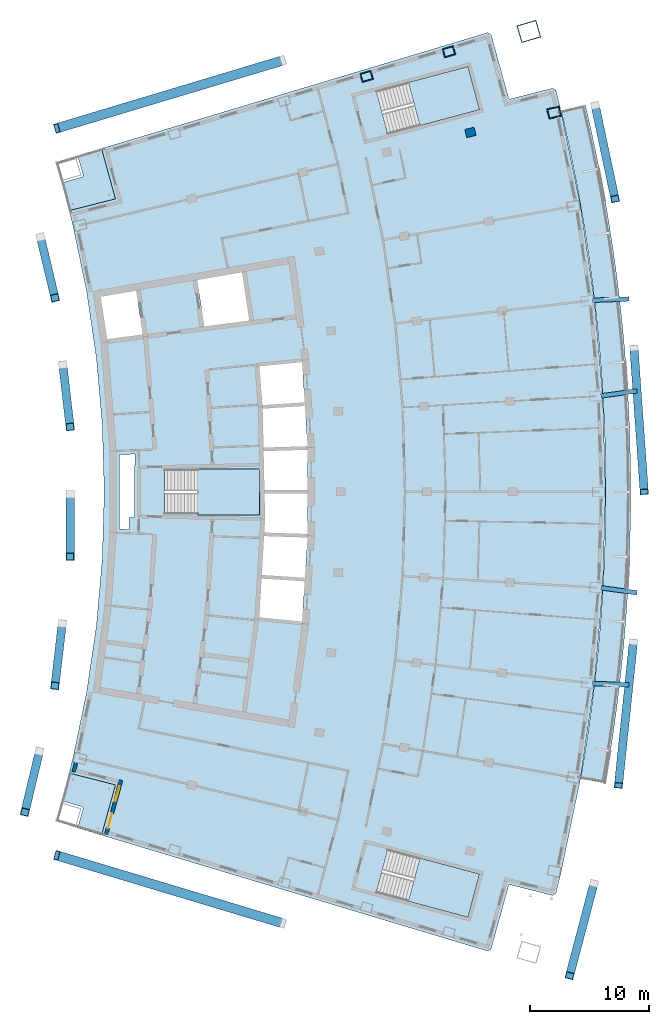
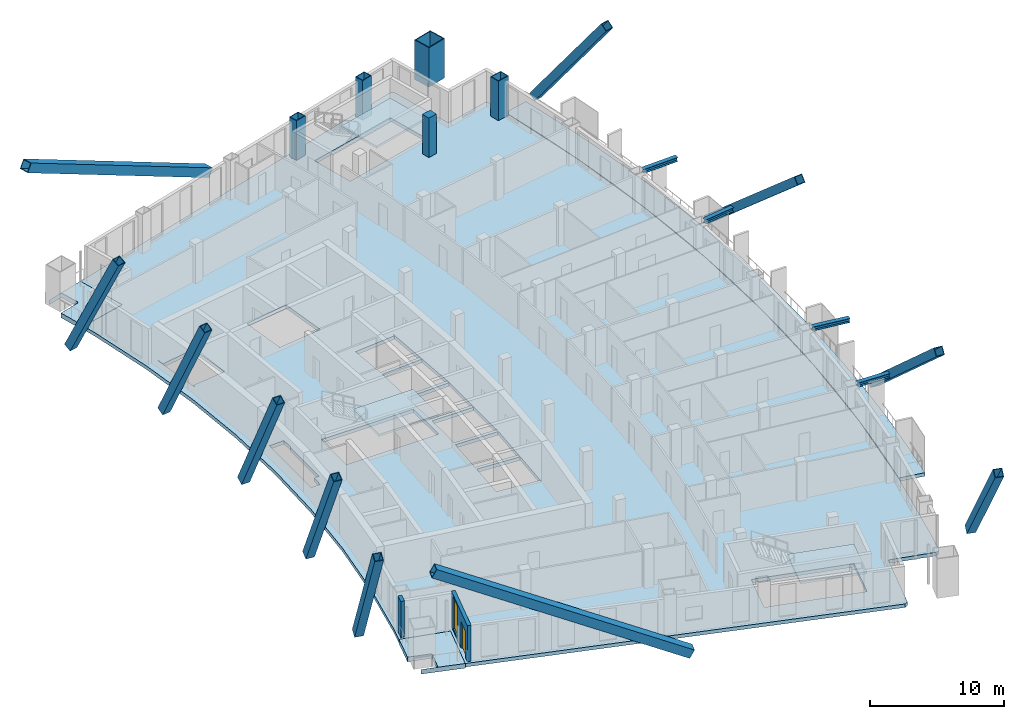
# One storey, part 8 of 19: 15 members, 7 slabs, 5 columns, 2 walls, 1 door, 1 window, 2 openings, 3 elements without a shape of their own.
"""IFC4 building model written with IfcOpenShell, lengths in metres."""

from ifc_helpers import new_model, si_unit, direction, frame, frame_2d, origin, origin_2d, place, context, subcontext, project, spatial, polyline, rectangle, hollow_rectangle, i_section, outline, extrude, material, layer, layer_set, material_profile, profile_set, type_object, element, fill, aggregate, save


model = new_model("IFC4")

# Units and contexts
model_context = context("Model", 3, precision=1e-05, world=origin(), true_north=direction((0.0, 1.0)))
body_context = subcontext(model_context, "Body", "Model", "MODEL_VIEW")
ifc_project = project(units=[si_unit("LENGTHUNIT", "METRE"), si_unit("AREAUNIT", "SQUARE_METRE"), si_unit("VOLUMEUNIT", "CUBIC_METRE"), si_unit("PLANEANGLEUNIT", "RADIAN"), si_unit("MASSUNIT", "GRAM", prefix="KILO")], contexts=[model_context])

# Site, building, storey
site_placement = place(None, origin())
site = spatial("IfcSite", under=ifc_project, at=site_placement, CompositionType="ELEMENT")
building_placement = place(site_placement, origin())
building = spatial("IfcBuilding", under=site, at=building_placement, Name="Alderwake Tower", CompositionType="ELEMENT")
storey_placement = place(building_placement, frame((0.0, 0.0, 221.60009765625)))
storey = spatial("IfcBuildingStorey", under=building, at=storey_placement, Name="L55", CompositionType="ELEMENT", Elevation=221.60009765625)

# Columns
ifc_material_1 = material(Name="Steel ASTM A572 Grade 50 concrete filled C70/85", Category="concrete")
ifc_material_profile_1 = material_profile(ifc_material_1, hollow_rectangle(XDim=0.75, YDim=0.949951171875, WallThickness=0.054931640625, at=origin_2d()), Name="BOX 950X750X55")
ifc_profile_set_1 = profile_set([ifc_material_profile_1], Name="Steel ASTM A572 Grade 50 concrete filled C70/85")
column_type_1 = type_object("IfcColumnType", Name="End column Z4", PredefinedType="COLUMN", material=ifc_profile_set_1)
for number, where, z_axis, x_axis, name in (
    (1, (37.976318359375, 95.79345703125, 0.0), (0.0, 0.0, 1.0), (-0.282873846689, 0.959157123134, 0.0), "Column R12-C3"),
    (2, (44.872314453125, 97.86376953125, 0.0), (0.0, 0.0, 1.0), (-0.283131639396, 0.959081057457, 0.0), "Column R12-C4"),
):
    element("IfcColumn", number, at=place(storey_placement, frame(where, z_axis=z_axis, x_axis=x_axis)), inside=storey, type_object=column_type_1, Name=name, PredefinedType="COLUMN", context=body_context, shape_type="SweptSolid", body=[
        extrude(hollow_rectangle(XDim=0.75, YDim=0.949951171875, WallThickness=0.054931640625, at=origin_2d()), origin(), (0.0, 0.0, 1.0), 3.599853515625),
    ])
ifc_material_2 = material(Name="Concrete C70/85", Category="concrete")
ifc_material_profile_2 = material_profile(ifc_material_2, rectangle(XDim=0.699951171875, YDim=0.800048828125, at=origin_2d()), Name="RC 800X700")
ifc_profile_set_2 = profile_set([ifc_material_profile_2], Name="Concrete C70/85")
column_type_2 = type_object("IfcColumnType", Name="Interior column Z4", PredefinedType="COLUMN", material=ifc_profile_set_2)
column_1_placement = place(storey_placement, frame((46.671630859375, 91.10498046875, 0.0), z_axis=(0.0, 0.0, 1.0), x_axis=(-0.231221547198, 0.972901123502, 0.0)))
element("IfcColumn", 3, at=column_1_placement, inside=storey, type_object=column_type_2, Name="Column R11-C4", PredefinedType="COLUMN", context=body_context, shape_type="SweptSolid", body=[
    extrude(rectangle(XDim=0.699951171875, YDim=0.800048828125, at=origin_2d()), origin(), (0.0, 0.0, 1.0), 3.599853515625),
])
ifc_material_3 = material(Name="Steel ASTM A572 Grade 50 concrete filled C70/85", Category="concrete")
ifc_material_profile_3 = material_profile(ifc_material_3, hollow_rectangle(XDim=1.5, YDim=1.699951171875, WallThickness=0.074951171875, at=origin_2d()), Name="BOX 1700X1500X75")
ifc_profile_set_3 = profile_set([ifc_material_profile_3], Name="Steel ASTM A572 Grade 50 concrete filled C70/85")
column_type_3 = type_object("IfcColumnType", Name="Mega column Z4", PredefinedType="COLUMN", material=ifc_profile_set_3)
column_2_placement = place(storey_placement, frame((51.565185546875, 99.56201171875, 0.0), z_axis=(0.0, 0.0, 1.0), x_axis=(-0.281269716931, 0.959628754435, 0.0)))
element("IfcColumn", 4, at=column_2_placement, inside=storey, type_object=column_type_3, Name="Column R12-C5", PredefinedType="COLUMN", context=body_context, shape_type="SweptSolid", body=[
    extrude(hollow_rectangle(XDim=1.5, YDim=1.699951171875, WallThickness=0.074951171875, at=origin_2d()), origin(), (0.0, 0.0, 1.0), 3.599853515625),
])
ifc_material_4 = material(Name="Steel ASTM A572 Grade 50 concrete filled C70/85", Category="concrete")
ifc_material_profile_4 = material_profile(ifc_material_4, hollow_rectangle(XDim=0.85009765625, YDim=1.050048828125, WallThickness=0.054931640625, at=origin_2d()), Name="BOX 1050X850X55")
ifc_profile_set_4 = profile_set([ifc_material_profile_4], Name="Steel ASTM A572 Grade 50 concrete filled C70/85")
column_type_4 = type_object("IfcColumnType", Name="Perimeter column Z4", PredefinedType="COLUMN", material=ifc_profile_set_4)
column_3_placement = place(storey_placement, frame((53.676513671875, 92.77001953125, 0.0), z_axis=(0.0, 0.0, 1.0), x_axis=(-0.231221547198, 0.972901123502, 0.0)))
element("IfcColumn", 5, at=column_3_placement, inside=storey, type_object=column_type_4, Name="Column R11-C5", PredefinedType="COLUMN", context=body_context, shape_type="SweptSolid", body=[
    extrude(hollow_rectangle(XDim=0.85009765625, YDim=1.050048828125, WallThickness=0.054931640625, at=origin_2d()), origin(), (0.0, 0.0, 1.0), 3.599853515625),
])

# Members
ifc_material_5 = material(Name="Steel ASTM A992 Grade 50", Category="steel")
ifc_material_profile_5 = material_profile(ifc_material_5, i_section(OverallWidth=0.3740234375, OverallDepth=0.372314453125, WebThickness=0.016357421875, FlangeThickness=0.026123046875, at=origin_2d()), Name="W14X132")
ifc_profile_set_5 = profile_set([ifc_material_profile_5], Name="Steel ASTM A992 Grade 50")
member_type_1 = type_object("IfcMemberType", Name="Brace node stub W14X132", PredefinedType="MEMBER", material=ifc_profile_set_5)
member_1_placement = place(storey_placement, frame((57.640380859375, 52.9609375, 3.393798828125), z_axis=(0.990420365501, -0.138085117232, 0.0), x_axis=(0.138085117232, 0.990420365501, 0.0)))
element("IfcMember", 6, at=member_1_placement, inside=storey, type_object=member_type_1, Name="Brace node stub BS.FR06-C5.2252", PredefinedType="MEMBER", context=body_context, shape_type="SweptSolid", body=[
    extrude(i_section(OverallWidth=0.3740234375, OverallDepth=0.372314453125, WebThickness=0.016357421875, FlangeThickness=0.026123046875, at=origin_2d()), origin(), (0.0, 0.0, 1.0), 3.0126953125),
])
for number, where, z_axis, x_axis, name in (
    (7, (56.93798828125, 44.951904296875, 3.393798828125), (0.999334780584, -0.036469114529, 0.0), (0.036469114529, 0.999334780584, 0.0), "Brace node stub BS.FR05-C5.2252"),
    (8, (56.93798828125, 77.048095703125, 3.393798828125), (0.999334780584, 0.036469114529, 0.0), (-0.036469114529, 0.999334780584, 0.0), "Brace node stub BS.FR09-C5.2252"),
):
    element("IfcMember", number, at=place(storey_placement, frame(where, z_axis=z_axis, x_axis=x_axis)), inside=storey, type_object=member_type_1, Name=name, PredefinedType="MEMBER", context=body_context, shape_type="SweptSolid", body=[
        extrude(i_section(OverallWidth=0.3740234375, OverallDepth=0.372314453125, WebThickness=0.016357421875, FlangeThickness=0.026123046875, at=origin_2d()), origin(), (0.0, 0.0, 1.0), 3.012451171875),
    ])
member_2_placement = place(storey_placement, frame((57.640380859375, 69.0390625, 3.393798828125), z_axis=(0.990420365501, 0.138085117232, 0.0), x_axis=(-0.138085117232, 0.990420365501, 0.0)))
element("IfcMember", 9, at=member_2_placement, inside=storey, type_object=member_type_1, Name="Brace node stub BS.FR08-C5.2252", PredefinedType="MEMBER", context=body_context, shape_type="SweptSolid", body=[
    extrude(i_section(OverallWidth=0.3740234375, OverallDepth=0.372314453125, WebThickness=0.016357421875, FlangeThickness=0.026123046875, at=origin_2d()), origin(), (0.0, 0.0, 1.0), 3.0126953125),
])
ifc_material_6 = material(Name="Steel ASTM A572 Grade 50", Category="steel")
ifc_material_profile_6 = material_profile(ifc_material_6, hollow_rectangle(XDim=0.800048828125, YDim=0.800048828125, WallThickness=0.050048828125, at=origin_2d()), Name="BOX 800X800X50")
ifc_profile_set_6 = profile_set([ifc_material_profile_6], Name="Steel ASTM A572 Grade 50")
member_type_2 = type_object("IfcMemberType", Name="Mega brace end Z4", PredefinedType="BRACE", material=ifc_profile_set_6)
for number, where, z_axis, x_axis, name in (
    (10, (30.970703125, 24.8642578125, 0.279296875), (-0.845550014033, 0.253860105145, 0.46968097767), (-0.287550625325, -0.957765439904, 0.0), "Brace BRS4.2.0B2"),
    (11, (30.970703125, 97.1357421875, 0.279296875), (-0.845550014033, -0.253860105145, 0.46968097767), (0.287550625325, -0.957765439904, 0.0), "Brace BRN4.2.0B2"),
):
    element("IfcMember", number, at=place(storey_placement, frame(where, z_axis=z_axis, x_axis=x_axis)), inside=storey, type_object=member_type_2, Name=name, PredefinedType="BRACE", context=body_context, shape_type="SweptSolid", body=[
        extrude(hollow_rectangle(XDim=0.800048828125, YDim=0.800048828125, WallThickness=0.050048828125, at=origin_2d()), origin(), (0.0, 0.0, 1.0), 22.399169921875),
    ])
ifc_material_7 = material(Name="Steel ASTM A572 Grade 50", Category="steel")
ifc_material_profile_7 = material_profile(ifc_material_7, hollow_rectangle(XDim=0.699951171875, YDim=0.699951171875, WallThickness=0.044921875, at=origin_2d()), Name="BOX 700X700X45")
ifc_profile_set_7 = profile_set([ifc_material_profile_7], Name="Steel ASTM A572 Grade 50")
member_type_3 = type_object("IfcMemberType", Name="Mega brace face Z4", PredefinedType="BRACE", material=ifc_profile_set_7)
member_3_placement = place(storey_placement, frame((57.020263671875, 28.207763671875, 0.30615234375), z_axis=(-0.154455108177, -0.58614112934, 0.795350360567), x_axis=(0.966990256768, -0.254813349957, 0.0)))
element("IfcMember", 12, at=member_3_placement, inside=storey, type_object=member_type_3, Name="Brace BRF4.2.2B2", PredefinedType="BRACE", context=body_context, shape_type="SweptSolid", body=[
    extrude(hollow_rectangle(XDim=0.699951171875, YDim=0.699951171875, WallThickness=0.044921875, at=origin_2d()), origin(), (0.0, 0.0, 1.0), 13.19384765625),
])
member_4_placement = place(storey_placement, frame((60.32080078125, 48.4208984375, 0.25), z_axis=(-0.077927241133, -0.749018126814, 0.65795075104), x_axis=(0.994631466478, -0.103480654675, 0.0)))
element("IfcMember", 13, at=member_4_placement, inside=storey, type_object=member_type_3, Name="Brace BRF4.2.4B2", PredefinedType="BRACE", context=body_context, shape_type="SweptSolid", body=[
    extrude(hollow_rectangle(XDim=0.699951171875, YDim=0.699951171875, WallThickness=0.044921875, at=origin_2d()), origin(), (0.0, 0.0, 1.0), 16.034423828125),
])
member_5_placement = place(storey_placement, frame((60.367919921875, 73.0439453125, 0.25), z_axis=(0.053657318538, -0.75114155451, 0.657956881), x_axis=(0.99745828927, 0.071252797604, 0.0)))
element("IfcMember", 14, at=member_5_placement, inside=storey, type_object=member_type_3, Name="Brace BRF4.2.7B2", PredefinedType="BRACE", context=body_context, shape_type="SweptSolid", body=[
    extrude(hollow_rectangle(XDim=0.699951171875, YDim=0.699951171875, WallThickness=0.044921875, at=origin_2d()), origin(), (0.0, 0.0, 1.0), 16.0341796875),
])
member_6_placement = place(storey_placement, frame((57.122802734375, 93.361083984375, 0.30615234375), z_axis=(0.125774017861, -0.592953159974, 0.795353661278), x_axis=(0.978235439552, 0.207498011566, 0.0)))
element("IfcMember", 15, at=member_6_placement, inside=storey, type_object=member_type_3, Name="Brace BRF4.2.10B2", PredefinedType="BRACE", context=body_context, shape_type="SweptSolid", body=[
    extrude(hollow_rectangle(XDim=0.699951171875, YDim=0.699951171875, WallThickness=0.044921875, at=origin_2d()), origin(), (0.0, 0.0, 1.0), 13.193603515625),
])
member_7_placement = place(storey_placement, frame((10.571533203125, 39.27099609375, 0.392822265625), z_axis=(-0.104005869599, -0.437625019805, 0.893122119942), x_axis=(0.972901589623, -0.231219585909, 0.0)))
element("IfcMember", 16, at=member_7_placement, inside=storey, type_object=member_type_3, Name="Brace BRR4.2.2B2", PredefinedType="BRACE", context=body_context, shape_type="SweptSolid", body=[
    extrude(hollow_rectangle(XDim=0.699951171875, YDim=0.699951171875, WallThickness=0.044921875, at=origin_2d()), origin(), (0.0, 0.0, 1.0), 11.65234375),
])
member_8_placement = place(storey_placement, frame((12.485107421875, 49.961669921875, 0.392822265625), z_axis=(-0.05235854568, -0.446776161698, 0.893112335618), x_axis=(0.993202962699, -0.116395338763, 0.0)))
element("IfcMember", 17, at=member_8_placement, inside=storey, type_object=member_type_3, Name="Brace BRR4.2.4B2", PredefinedType="BRACE", context=body_context, shape_type="SweptSolid", body=[
    extrude(hollow_rectangle(XDim=0.699951171875, YDim=0.699951171875, WallThickness=0.044921875, at=origin_2d()), origin(), (0.0, 0.0, 1.0), 11.652587890625),
])
for number, where, z_axis, x_axis, name in (
    (18, (13.141357421875, 60.802001953125, 0.392822265625), (0.0, -0.449818123353, 0.893120179989), (1.0, 0.0, 0.0), "Brace BRR4.2.6B2"),
    (19, (12.53125, 71.645263671875, 0.392822265625), (0.052359035792, -0.44675939183, 0.893120695753), (0.993202331639, 0.11640072348, 0.0), "Brace BRR4.2.8B2"),
    (20, (10.6630859375, 82.34375, 0.392822265625), (0.104005869599, -0.437625019805, 0.893122119942), (0.972901589623, 0.231219585909, 0.0), "Brace BRR4.2.10B2"),
):
    element("IfcMember", number, at=place(storey_placement, frame(where, z_axis=z_axis, x_axis=x_axis)), inside=storey, type_object=member_type_3, Name=name, PredefinedType="BRACE", context=body_context, shape_type="SweptSolid", body=[
        extrude(hollow_rectangle(XDim=0.699951171875, YDim=0.699951171875, WallThickness=0.044921875, at=origin_2d()), origin(), (0.0, 0.0, 1.0), 11.65234375),
    ])

# Slabs
ifc_material_8 = material(Name="Concrete C50/60", Category="concrete")
ifc_layer_1 = layer(ifc_material_8, 0.320068359375)
ifc_layer_set_1 = layer_set([ifc_layer_1], Name="Balcony slab 320")
slab_type_1 = type_object("IfcSlabType", Name="Balcony slab 320", PredefinedType="FLOOR", material=ifc_layer_set_1)
slab_1_placement = place(storey_placement, frame((0.0, 0.0, -0.320068359375)))
element("IfcSlab", 21, at=slab_1_placement, inside=storey, type_object=slab_type_1, Name="Balcony BF04", PredefinedType="FLOOR", context=body_context, shape_type="SweptSolid", body=[
    extrude(outline(polyline([(58.30126953125, 38.621826171875), (58.61279296875, 40.64111328125), (58.89501953125, 42.66455078125), (59.147705078125, 44.692138671875), (59.37060546875, 46.722900390625), (59.56396484375, 48.7568359375), (59.727783203125, 50.79345703125), (59.86181640625, 52.83203125), (59.9658203125, 54.87255859375), (60.040283203125, 56.914306640625), (60.085205078125, 58.956787109375), (60.10009765625, 61.0), (60.085205078125, 63.043212890625), (60.040283203125, 65.085693359375), (59.9658203125, 67.12744140625), (59.86181640625, 69.16796875), (59.727783203125, 71.20654296875), (59.56396484375, 73.2431640625), (59.37060546875, 75.277099609375), (59.147705078125, 77.307861328125), (58.89501953125, 79.33544921875), (58.61279296875, 81.35888671875), (58.30126953125, 83.378173828125), (57.960205078125, 85.392578125), (57.58984375, 87.40185546875), (57.190185546875, 89.405517578125), (56.76123046875, 91.403076171875), (56.303466796875, 93.394287109375), (54.26025390625, 92.90869140625), (54.71142578125, 90.947265625), (55.1337890625, 88.979736328125), (55.52734375, 87.006103515625), (55.892333984375, 85.02685546875), (56.228271484375, 83.042724609375), (56.53515625, 81.0537109375), (56.81298828125, 79.060546875), (57.06201171875, 77.0634765625), (57.281494140625, 75.06298828125), (57.47216796875, 73.0595703125), (57.63330078125, 71.0537109375), (57.765380859375, 69.04541015625), (57.867919921875, 67.03564453125), (57.94140625, 65.0244140625), (57.9853515625, 63.012451171875), (58.0, 61.0), (57.9853515625, 58.987548828125), (57.94140625, 56.9755859375), (57.867919921875, 54.96435546875), (57.765380859375, 52.95458984375), (57.63330078125, 50.9462890625), (57.47216796875, 48.9404296875), (57.281494140625, 46.93701171875), (57.06201171875, 44.9365234375), (56.81298828125, 42.939453125), (56.53515625, 40.9462890625), (56.228271484375, 38.957275390625), (55.892333984375, 36.97314453125), (57.960205078125, 36.607421875), (58.30126953125, 38.621826171875)])), origin(), (0.0, 0.0, 1.0), 0.320068359375),
])
ifc_material_9 = material(Name="Concrete C50/60", Category="concrete")
ifc_layer_2 = layer(ifc_material_9, 0.320068359375)
ifc_layer_set_2 = layer_set([ifc_layer_2], Name="Concrete C50/60 post-tensioned flat plate 320")
slab_type_2 = type_object("IfcSlabType", Name="Concrete C50/60 post-tensioned flat plate 320", PredefinedType="FLOOR", material=ifc_layer_set_2)
slab_2_placement = place(storey_placement, frame((0.0, 0.0, -0.320068359375)))
element("IfcSlab", 22, at=slab_2_placement, inside=storey, type_object=slab_type_2, Name="Floor slab L55", PredefinedType="FLOOR", context=body_context, shape_type="SweptSolid", body=[
    extrude(outline(polyline([(13.06494140625, 37.443115234375), (13.3984375, 38.802734375), (14.53369140625, 44.28564453125), (15.347412109375, 49.825439453125), (15.836669921875, 55.4033203125), (16.0, 61.0), (15.836669921875, 66.5966796875), (15.347412109375, 72.174560546875), (14.53369140625, 77.71435546875), (13.3984375, 83.197265625), (13.06494140625, 84.556884765625), (16.942626953125, 85.53857421875), (15.776611328125, 89.7548828125), (48.120361328125, 99.465576171875), (48.40185546875, 99.309814453125), (49.903076171875, 93.881591796875), (53.557861328125, 94.806640625), (53.835693359375, 94.6396484375), (54.26025390625, 92.90869140625), (55.892333984375, 85.02685546875), (57.06201171875, 77.0634765625), (57.765380859375, 69.04541015625), (58.0, 61.0), (57.765380859375, 52.95458984375), (57.06201171875, 44.9365234375), (55.892333984375, 36.97314453125), (54.26025390625, 29.09130859375), (53.835693359375, 27.3603515625), (53.557861328125, 27.193359375), (49.903076171875, 28.118408203125), (48.40185546875, 22.690185546875), (48.120361328125, 22.534423828125), (15.776611328125, 32.2451171875), (16.942626953125, 36.46142578125), (13.06494140625, 37.443115234375)]), holes=[polyline([(28.9853515625, 50.4306640625), (28.989013671875, 50.430419921875), (28.994140625, 50.485595703125), (32.546875, 50.1376953125), (32.5322265625, 49.988525390625), (32.562255859375, 49.985595703125), (32.80126953125, 53.654541015625), (33.0400390625, 57.323486328125), (33.0400390625, 61.0), (33.0400390625, 64.676513671875), (32.80126953125, 68.345458984375), (32.562255859375, 72.014404296875), (32.532470703125, 72.011474609375), (32.547119140625, 71.8623046875), (28.993896484375, 71.514404296875), (29.256591796875, 68.264892578125), (32.761474609375, 68.4931640625), (32.771240234375, 68.343505859375), (32.781005859375, 68.19384765625), (29.278564453125, 67.9658203125), (29.274169921875, 68.032470703125), (29.2705078125, 68.0322265625), (29.34423828125, 64.70654296875), (33.005126953125, 64.82568359375), (33.010009765625, 64.67578125), (33.014892578125, 64.525634765625), (29.350830078125, 64.406494140625), (29.4228515625, 61.14990234375), (33.010009765625, 61.14990234375), (33.010009765625, 61.0), (33.010009765625, 60.85009765625), (29.429443359375, 60.85009765625), (29.4765625, 58.72314453125), (29.409423828125, 57.591552734375), (33.014892578125, 57.474365234375), (33.010009765625, 57.32421875), (33.005126953125, 57.17431640625), (29.395751953125, 57.291748046875), (29.39599609375, 57.3017578125), (29.392333984375, 57.302001953125), (29.198974609375, 54.039306640625), (32.781005859375, 53.80615234375), (32.771240234375, 53.656494140625), (32.761474609375, 53.5068359375), (29.181396484375, 53.739990234375), (28.9853515625, 50.4306640625)]), polyline([(21.050048828125, 62.875), (21.050048828125, 59.125), (29.0, 59.125), (29.0, 62.875), (21.050048828125, 62.875)]), polyline([(15.64111328125, 77.91015625), (15.487060546875, 77.8828125), (15.487548828125, 77.879150390625), (15.617919921875, 77.899169921875), (16.280029296875, 73.5927734375), (16.31005859375, 73.5966796875), (16.2841796875, 73.794921875), (19.224853515625, 74.1796875), (18.673095703125, 77.842041015625), (18.869140625, 77.87158203125), (18.8671875, 77.8837890625), (15.740234375, 77.340087890625), (15.64111328125, 77.91015625)]), polyline([(27.538330078125, 79.39111328125), (23.794921875, 78.740478515625), (24.384033203125, 74.8583984375), (24.36865234375, 74.856201171875), (24.369140625, 74.8525390625), (28.152587890625, 75.347412109375), (27.538330078125, 79.39111328125)]), polyline([(47.436279296875, 28.996826171875), (39.754150390625, 31.043212890625), (38.7890625, 27.41943359375), (46.47119140625, 25.373291015625), (47.436279296875, 28.996826171875)]), polyline([(46.47119140625, 96.626708984375), (38.7890625, 94.58056640625), (39.754150390625, 90.956787109375), (47.436279296875, 93.003173828125), (46.47119140625, 96.626708984375)]), polyline([(17.289306640625, 64.118408203125), (17.289306640625, 57.881591796875), (18.06298828125, 57.85400390625), (18.090576171875, 58.84375), (18.544189453125, 58.831298828125), (18.529296875, 58.8681640625), (18.5234375, 58.891845703125), (18.5185546875, 58.940673828125), (18.5185546875, 63.060302734375), (18.5234375, 63.109130859375), (18.53759765625, 63.156005859375), (18.560791015625, 63.19921875), (18.588623046875, 63.2333984375), (18.562744140625, 64.16357421875), (17.289306640625, 64.118408203125)])]), origin(), (0.0, 0.0, 1.0), 0.320068359375),
])

# Stair, slab
ifc_material_10 = material(Name="Concrete C40/50", Category="concrete")
stair_type = type_object("IfcStairType", Name="Core exit stair", PredefinedType="HALF_TURN_STAIR", material=ifc_material_10)
stair_1_placement = place(storey_placement, origin())
stair_1 = element("IfcStair", 23, at=stair_1_placement, inside=storey, type_object=stair_type, Name="L55 Exit Stair B", PredefinedType="HALF_TURN_STAIR")
ifc_material_11 = material(Name="Concrete C40/50", Category="concrete")
ifc_layer_3 = layer(ifc_material_11, 0.199951171875)
ifc_layer_set_3 = layer_set([ifc_layer_3], Name="Core stair landing 200")
slab_type_3 = type_object("IfcSlabType", Name="Core stair landing 200", PredefinedType="LANDING", material=ifc_layer_set_3)
slab_3_placement = place(storey_placement, frame((0.0, 0.0, 1.599853515625)))
slab_3 = element("IfcSlab", 24, at=slab_3_placement, type_object=slab_type_3, Name="ST-B landing 1", PredefinedType="LANDING", context=body_context, shape_type="SweptSolid", body=[
    extrude(outline(polyline([(23.830078125, 59.074951171875), (29.0, 59.074951171875), (29.0, 62.925048828125), (23.830078125, 62.925048828125), (23.830078125, 59.074951171875)])), origin(), (0.0, 0.0, 1.0), 0.199951171875),
])
aggregate(stair_1, [slab_3])

stair_2_placement = place(storey_placement, origin())
stair_2 = element("IfcStair", 25, at=stair_2_placement, inside=storey, type_object=stair_type, Name="L55 Exit Stair A", PredefinedType="HALF_TURN_STAIR")
slab_4_placement = place(storey_placement, frame((0.0, 0.0, 1.599853515625)))
slab_4 = element("IfcSlab", 26, at=slab_4_placement, type_object=slab_type_3, Name="ST-A landing 1", PredefinedType="LANDING", context=body_context, shape_type="SweptSolid", body=[
    extrude(outline(polyline([(42.440673828125, 91.67236328125), (47.436279296875, 93.003173828125), (46.47119140625, 96.626708984375), (41.475341796875, 95.296142578125), (42.440673828125, 91.67236328125)])), origin(), (0.0, 0.0, 1.0), 0.199951171875),
])
aggregate(stair_2, [slab_4])

stair_3_placement = place(storey_placement, origin())
stair_3 = element("IfcStair", 27, at=stair_3_placement, inside=storey, type_object=stair_type, Name="L55 Exit Stair C", PredefinedType="HALF_TURN_STAIR")
slab_5_placement = place(storey_placement, frame((0.0, 0.0, 1.599853515625)))
slab_5 = element("IfcSlab", 28, at=slab_5_placement, type_object=slab_type_3, Name="ST-C landing 1", PredefinedType="LANDING", context=body_context, shape_type="SweptSolid", body=[
    extrude(outline(polyline([(41.475341796875, 26.703857421875), (46.47119140625, 25.373291015625), (47.436279296875, 28.996826171875), (42.4404296875, 30.32763671875), (41.475341796875, 26.703857421875)])), origin(), (0.0, 0.0, 1.0), 0.199951171875),
])
aggregate(stair_3, [slab_5])

# Slabs
ifc_material_12 = material(Name="Concrete C50/60", Category="concrete")
ifc_layer_4 = layer(ifc_material_12, 0.419921875)
ifc_layer_set_4 = layer_set([ifc_layer_4], Name="Terrace slab 420")
slab_type_4 = type_object("IfcSlabType", Name="Terrace slab 420", PredefinedType="FLOOR", material=ifc_layer_set_4)
slab_6_placement = place(storey_placement, frame((0.0, 0.0, -0.420166015625)))
element("IfcSlab", 29, at=slab_6_placement, inside=storey, type_object=slab_type_4, Name="Corner terrace RS", PredefinedType="FLOOR", context=body_context, shape_type="SweptSolid", body=[
    extrude(outline(polyline([(15.776611328125, 32.2451171875), (12.517333984375, 33.2236328125), (13.628662109375, 32.901123046875), (13.64306640625, 32.897705078125), (13.65771484375, 32.895751953125), (13.67236328125, 32.895263671875), (13.68701171875, 32.896240234375), (13.701416015625, 32.8984375), (13.7158203125, 32.90234375), (13.7294921875, 32.907470703125), (13.742919921875, 32.913818359375), (13.75537109375, 32.921630859375), (13.76708984375, 32.930419921875), (13.77783203125, 32.9404296875), (13.78759765625, 32.951416015625), (13.796142578125, 32.96337890625), (13.8037109375, 32.976318359375), (13.809814453125, 32.989501953125), (13.814453125, 33.00341796875), (14.232421875, 34.444091796875), (14.23583984375, 34.45849609375), (14.23779296875, 34.472900390625), (14.23828125, 34.48779296875), (14.237548828125, 34.50244140625), (14.235107421875, 34.516845703125), (14.2314453125, 34.53125), (14.226318359375, 34.544921875), (14.2197265625, 34.55810546875), (14.212158203125, 34.57080078125), (14.203125, 34.58251953125), (14.193115234375, 34.59326171875), (14.18212890625, 34.60302734375), (14.170166015625, 34.611572265625), (14.157470703125, 34.618896484375), (14.14404296875, 34.625244140625), (14.130126953125, 34.6298828125), (12.49755859375, 35.103515625), (12.483154296875, 35.10693359375), (12.468505859375, 35.10888671875), (12.453857421875, 35.109619140625), (12.4404296875, 35.108642578125), (12.71142578125, 36.08837890625), (13.06494140625, 37.443115234375), (16.942626953125, 36.46142578125), (15.776611328125, 32.2451171875)])), origin(), (0.0, 0.0, 1.0), 0.420166015625),
])
slab_7_placement = place(storey_placement, frame((0.0, 0.0, -0.420166015625)))
element("IfcSlab", 30, at=slab_7_placement, inside=storey, type_object=slab_type_4, Name="Corner terrace RN", PredefinedType="FLOOR", context=body_context, shape_type="SweptSolid", body=[
    extrude(outline(polyline([(12.4404296875, 86.891357421875), (12.453857421875, 86.890380859375), (12.468505859375, 86.89111328125), (12.483154296875, 86.89306640625), (12.49755859375, 86.896484375), (14.130126953125, 87.3701171875), (14.14404296875, 87.374755859375), (14.157470703125, 87.381103515625), (14.170166015625, 87.388427734375), (14.18212890625, 87.39697265625), (14.193115234375, 87.40673828125), (14.203125, 87.41748046875), (14.212158203125, 87.42919921875), (14.2197265625, 87.44189453125), (14.226318359375, 87.455078125), (14.2314453125, 87.46875), (14.235107421875, 87.483154296875), (14.237548828125, 87.49755859375), (14.23828125, 87.51220703125), (14.23779296875, 87.527099609375), (14.23583984375, 87.54150390625), (14.232421875, 87.555908203125), (13.814453125, 88.99658203125), (13.809814453125, 89.010498046875), (13.8037109375, 89.023681640625), (13.796142578125, 89.03662109375), (13.78759765625, 89.048583984375), (13.77783203125, 89.0595703125), (13.76708984375, 89.069580078125), (13.75537109375, 89.078369140625), (13.742919921875, 89.086181640625), (13.7294921875, 89.092529296875), (13.7158203125, 89.09765625), (13.701416015625, 89.1015625), (13.68701171875, 89.103759765625), (13.67236328125, 89.104736328125), (13.65771484375, 89.104248046875), (13.64306640625, 89.102294921875), (13.628662109375, 89.098876953125), (12.517333984375, 88.7763671875), (15.776611328125, 89.7548828125), (16.942626953125, 85.53857421875), (13.06494140625, 84.556884765625), (12.71142578125, 85.91162109375), (12.4404296875, 86.891357421875)])), origin(), (0.0, 0.0, 1.0), 0.420166015625),
])

# Wall
ifc_material_13 = material(Name="Precast concrete C50/60 spandrel panel", Category="concrete")
ifc_layer_5 = layer(ifc_material_13, 0.300048828125)
ifc_layer_set_5 = layer_set([ifc_layer_5], Name="External wall EW1 Precast concrete C50/60 spandrel")
wall_type_1 = type_object("IfcWallType", Name="External wall EW1 Precast concrete C50/60 spandrel", PredefinedType="SOLIDWALL", material=ifc_layer_set_5)
wall_1_placement = place(storey_placement, frame((13.63720703125, 38.30712890625, 0.0), z_axis=(0.0, 0.0, 1.0), x_axis=(-0.23817684901, -0.971221801957, 0.0)))
element("IfcWall", 31, at=wall_1_placement, inside=storey, type_object=wall_type_1, Name="External wall 1", PredefinedType="SOLIDWALL", context=body_context, shape_type="SweptSolid", body=[
    extrude(rectangle(XDim=0.778076171875, YDim=0.300048828125, at=frame_2d((0.38916015625, 0.0))), origin(), (0.0, 0.0, 1.0), 3.27978515625),
])

# Wall, openings, door, window
ifc_material_14 = material(Name="Bronze metal cladding on lightweight framing")
ifc_layer_6 = layer(ifc_material_14, 0.300048828125)
ifc_layer_set_6 = layer_set([ifc_layer_6], Name="External wall EW2 bronze metal cladding")
wall_type_2 = type_object("IfcWallType", Name="External wall EW2 bronze metal cladding", PredefinedType="SOLIDWALL", material=ifc_layer_set_6)
wall_2_placement = place(storey_placement, frame((17.410400390625, 36.85888671875, 0.0), z_axis=(0.0, 0.0, 1.0), x_axis=(-0.264592640785, -0.96436027212, 0.0)))
wall_2 = element("IfcWall", 32, at=wall_2_placement, inside=storey, type_object=wall_type_2, Name="External wall 3", PredefinedType="SOLIDWALL", context=body_context, shape_type="SweptSolid", body=[
    extrude(rectangle(XDim=4.690185546875, YDim=0.300048828125, at=frame_2d((2.34521484375, 0.0))), origin(), (0.0, 0.0, 1.0), 3.27978515625),
])
opening_1_placement = place(wall_2_placement, frame((0.5224609375, 0.0, 0.199951171875)))
opening_1 = element("IfcOpeningElement", 33, at=opening_1_placement, cuts=wall_2, Name="Opening W1", PredefinedType="OPENING", context=body_context, shape_type="SweptSolid", body=[
    extrude(rectangle(XDim=1.300048828125, YDim=2.89990234375, at=frame_2d((0.64990234375, 1.449951171875))), frame((0.0, 0.159912109375, 0.0), z_axis=(0.0, -1.0, 0.0), x_axis=(1.0, 0.0, 0.0)), (0.0, 0.0, 1.0), 0.320068359375),
])
opening_2_placement = place(wall_2_placement, frame((2.867431640625, 0.0, 0.0)))
opening_2 = element("IfcOpeningElement", 34, at=opening_2_placement, cuts=wall_2, Name="Opening D01", PredefinedType="OPENING", context=body_context, shape_type="SweptSolid", body=[
    extrude(rectangle(XDim=1.300048828125, YDim=2.39990234375, at=frame_2d((0.64990234375, 1.199951171875))), frame((0.0, 0.159912109375, 0.0), z_axis=(0.0, -1.0, 0.0), x_axis=(1.0, 0.0, 0.0)), (0.0, 0.0, 1.0), 0.320068359375),
])
ifc_material_15 = material(Name="Bronze tinted glass in aluminium frame", Category="aluminium")
door_type = type_object("IfcDoorType", Name="Balcony door BD sliding", OperationType="SLIDING_TO_LEFT", PredefinedType="DOOR", material=ifc_material_15)
door_placement = place(opening_2_placement, origin())
door = element("IfcDoor", 35, at=door_placement, inside=storey, type_object=door_type, Name="Door D01", OperationType="SLIDING_TO_LEFT", OverallHeight=2.39990234375, OverallWidth=1.300048828125, PredefinedType="DOOR", context=body_context, shape_type="SweptSolid", body=[
    extrude(rectangle(XDim=1.300048828125, YDim=2.39990234375, at=frame_2d((0.64990234375, 1.199951171875))), frame((0.0, 0.02490234375, 0.0), z_axis=(0.0, -1.0, 0.0), x_axis=(1.0, 0.0, 0.0)), (0.0, 0.0, 1.0), 0.050048828125),
])
fill(opening_2, door)
ifc_material_16 = material(Name="Bronze tinted glass in aluminium frame", Category="aluminium")
window_type = type_object("IfcWindowType", Name="Window W1 tall fixed and vent", PartitioningType="DOUBLE_PANEL_VERTICAL", PredefinedType="WINDOW", material=ifc_material_16)
window_placement = place(opening_1_placement, origin())
window = element("IfcWindow", 36, at=window_placement, inside=storey, type_object=window_type, Name="Window W1 tall fixed and vent", OverallHeight=2.89990234375, OverallWidth=1.300048828125, PartitioningType="DOUBLE_PANEL_VERTICAL", PredefinedType="WINDOW", context=body_context, shape_type="SweptSolid", body=[
    extrude(rectangle(XDim=1.300048828125, YDim=2.89990234375, at=frame_2d((0.64990234375, 1.449951171875))), frame((0.0, 0.030029296875, 0.0), z_axis=(0.0, -1.0, 0.0), x_axis=(1.0, 0.0, 0.0)), (0.0, 0.0, 1.0), 0.06005859375),
])
fill(opening_1, window)

save(model, "model.ifc")
